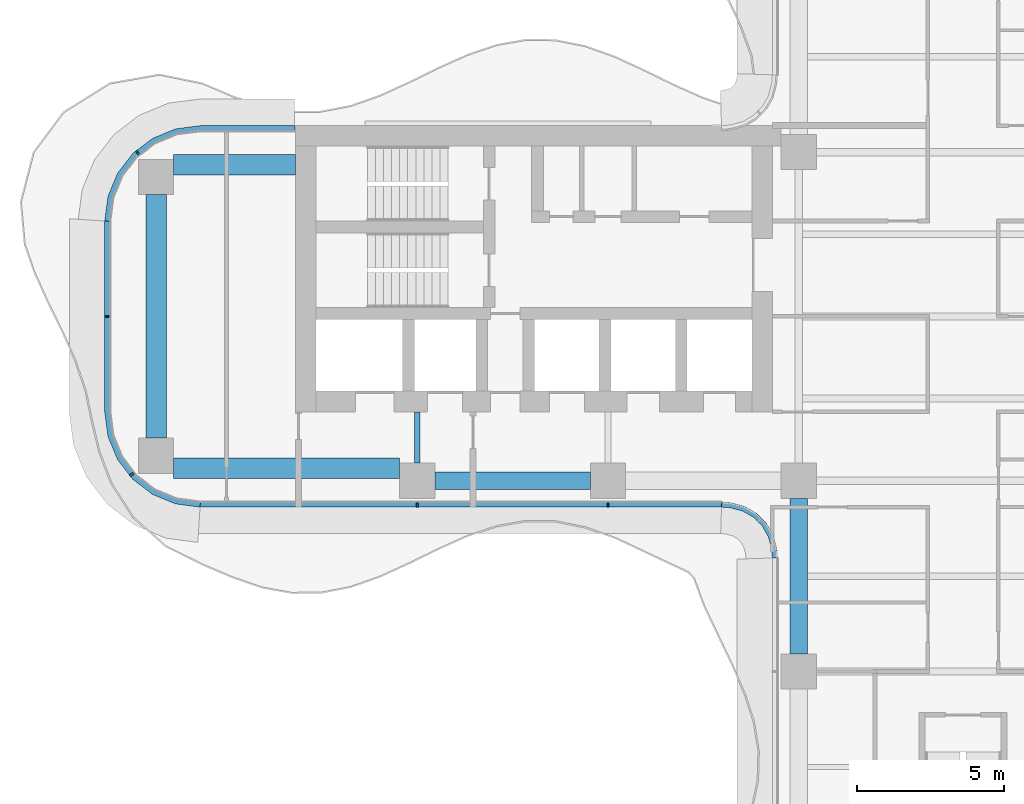
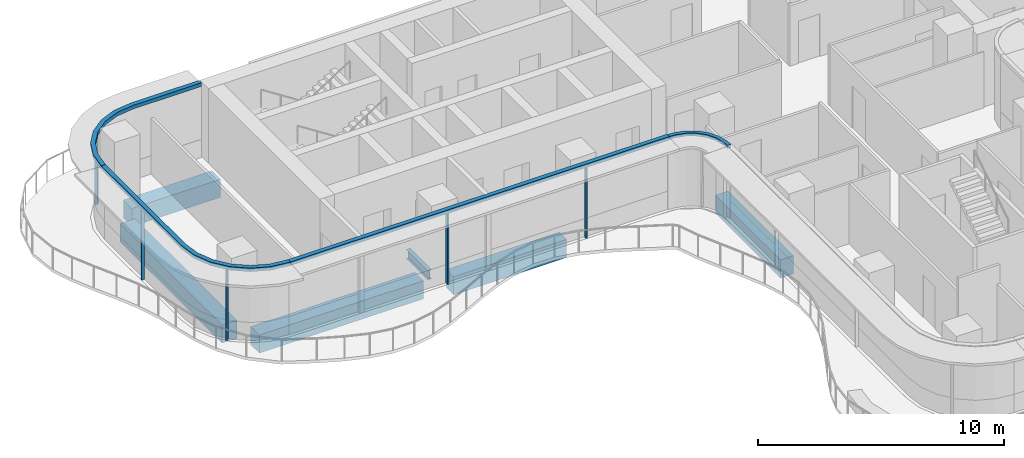
# One storey, part 3 of 18: 9 members, 6 beams, 4 elements without a shape of their own.
"""IFC4 building model written with IfcOpenShell, lengths in metres."""

from ifc_helpers import new_model, si_unit, direction, frame, origin, origin_2d, place, context, subcontext, project, spatial, polyline, rectangle, i_section, outline, extrude, source, transform, mapped, material, layer, layer_set, material_profile, profile_set, type_object, element, aggregate, save


model = new_model("IFC4")

# Units and contexts
model_context = context("Model", 3, precision=1e-05, world=origin(), true_north=direction((0.0, 1.0)))
body_context = subcontext(model_context, "Body", "Model", "MODEL_VIEW")
ifc_project = project(units=[si_unit("LENGTHUNIT", "METRE"), si_unit("AREAUNIT", "SQUARE_METRE"), si_unit("VOLUMEUNIT", "CUBIC_METRE"), si_unit("PLANEANGLEUNIT", "RADIAN"), si_unit("MASSUNIT", "GRAM", prefix="KILO")], contexts=[model_context])

# Site, building, storey
site_placement = place(None, origin())
site = spatial("IfcSite", under=ifc_project, at=site_placement, CompositionType="ELEMENT")
building_placement = place(site_placement, origin())
building = spatial("IfcBuilding", under=site, at=building_placement, Name="Trellis Farm Tower", CompositionType="ELEMENT")
storey_placement = place(building_placement, frame((0.0, 0.0, 177.60009765625)))
storey = spatial("IfcBuildingStorey", under=building, at=storey_placement, Name="L38", CompositionType="ELEMENT", Elevation=177.60009765625)

# Beams
ifc_material_1 = material(Name="Concrete C60/75", Category="concrete")
ifc_material_profile_1 = material_profile(ifc_material_1, rectangle(XDim=0.60009765625, YDim=0.89990234375, at=origin_2d()), Name="RC spandrel beam 600x900 C60/75")
ifc_profile_set_1 = profile_set([ifc_material_profile_1], Name="Concrete C60/75")
beam_type_1 = type_object("IfcBeamType", Name="RC spandrel beam 600x900 C60/75", PredefinedType="SPANDREL", material=ifc_profile_set_1)
shared_shape_1 = source(origin(), body_context, "Body", "SweptSolid", [
    extrude(rectangle(XDim=0.60009765625, YDim=0.89990234375, at=origin_2d()), origin(), (0.0, 0.0, 1.0), 5.300048828125),
])
for number, where, z_axis, x_axis, name in (
    (1, (-18.0, -5.60009765625, -0.650146484375), (1.0, 0.0, 0.0), (0.0, 1.0, 0.0), "Girder"),
    (2, (-5.60009765625, -11.5, -0.650146484375), (0.0, 1.0, 0.0), (-1.0, 0.0, 0.0), "Girder"),
):
    element("IfcBeam", number, at=place(storey_placement, frame(where, z_axis=z_axis, x_axis=x_axis)), inside=storey, type_object=beam_type_1, Name=name, PredefinedType="SPANDREL", context=body_context, shape_type="MappedRepresentation", body=[
        mapped(shared_shape_1, transform((0.0, 0.0, 0.0))),
    ])
ifc_material_profile_2 = material_profile(ifc_material_1, rectangle(XDim=0.699951171875, YDim=0.89990234375, at=origin_2d()), Name="RC spandrel beam 700x900 C60/75")
ifc_profile_set_2 = profile_set([ifc_material_profile_2], Name="Concrete C60/75")
beam_type_2 = type_object("IfcBeamType", Name="RC spandrel beam 700x900 C60/75", PredefinedType="SPANDREL", material=ifc_profile_set_2)
shared_shape_2 = source(origin(), body_context, "Body", "SweptSolid", [
    extrude(rectangle(XDim=0.699951171875, YDim=0.89990234375, at=origin_2d()), origin(), (0.0, 0.0, 1.0), 8.2998046875),
])
beam_1_placement = place(storey_placement, frame((-27.5, -4.14990234375, -0.650146484375), z_axis=(0.0, 1.0, 0.0), x_axis=(-1.0, 0.0, 0.0)))
element("IfcBeam", 3, at=beam_1_placement, inside=storey, type_object=beam_type_2, Name="Girder", PredefinedType="SPANDREL", context=body_context, shape_type="MappedRepresentation", body=[
    mapped(shared_shape_2, transform((0.0, 0.0, 0.0))),
])
ifc_material_2 = material(Name="Steel S355", Category="steel")
ifc_material_profile_3 = material_profile(ifc_material_2, i_section(OverallWidth=0.1904296875, OverallDepth=0.45703125, WebThickness=0.009033203125, FlangeThickness=0.014404296875, FilletRadius=0.01025390625, at=origin_2d()), Name="UB 457x191x74")
ifc_profile_set_3 = profile_set([ifc_material_profile_3], Name="Steel S355")
beam_type_3 = type_object("IfcBeamType", Name="UB 457x191x74", PredefinedType="BEAM", material=ifc_profile_set_3)
shared_shape_3 = source(origin(), body_context, "Body", "SweptSolid", [
    extrude(i_section(OverallWidth=0.1904296875, OverallDepth=0.45703125, WebThickness=0.009033203125, FlangeThickness=0.014404296875, FilletRadius=0.01025390625, at=origin_2d()), origin(), (0.0, 0.0, 1.0), 1.75),
])
beam_2_placement = place(storey_placement, frame((-18.60009765625, -5.0, -0.4287109375), z_axis=(0.0, 1.0, 0.0), x_axis=(-1.0, 0.0, 0.0)))
element("IfcBeam", 4, at=beam_2_placement, inside=storey, type_object=beam_type_3, Name="Girder", PredefinedType="BEAM", context=body_context, shape_type="MappedRepresentation", body=[
    mapped(shared_shape_3, transform((0.0, 0.0, 0.0))),
])
shared_shape_4 = source(origin(), body_context, "Body", "SweptSolid", [
    extrude(rectangle(XDim=0.699951171875, YDim=0.89990234375, at=origin_2d()), origin(), (0.0, 0.0, 1.0), 7.699951171875),
])
beam_3_placement = place(storey_placement, frame((-26.89990234375, -5.175048828125, -0.650146484375), z_axis=(1.0, 0.0, 0.0), x_axis=(0.0, 1.0, 0.0)))
element("IfcBeam", 5, at=beam_3_placement, inside=storey, type_object=beam_type_2, Name="Girder", PredefinedType="SPANDREL", context=body_context, shape_type="MappedRepresentation", body=[
    mapped(shared_shape_4, transform((0.0, 0.0, 0.0))),
])
shared_shape_5 = source(origin(), body_context, "Body", "SweptSolid", [
    extrude(rectangle(XDim=0.699951171875, YDim=0.89990234375, at=origin_2d()), origin(), (0.0, 0.0, 1.0), 4.14990234375),
])
beam_4_placement = place(storey_placement, frame((-26.89990234375, 5.175048828125, -0.650146484375), z_axis=(1.0, 0.0, 0.0), x_axis=(0.0, 1.0, 0.0)))
element("IfcBeam", 6, at=beam_4_placement, inside=storey, type_object=beam_type_2, Name="Girder", PredefinedType="SPANDREL", context=body_context, shape_type="MappedRepresentation", body=[
    mapped(shared_shape_5, transform((0.0, 0.0, 0.0))),
])

# Curtain wall, members
ifc_material_3 = material(Name="Aluminium and glass curtain wall", Category="aluminium")
ifc_layer_1 = layer(ifc_material_3, 0.18994140625)
ifc_layer_set_1 = layer_set([ifc_layer_1], Name="RIBBON CURTAIN WALL CW1")
curtain_wall_type_1 = type_object("IfcCurtainWallType", Name="RIBBON CURTAIN WALL CW1", PredefinedType="NOTDEFINED", material=ifc_layer_set_1)
placement_1 = place(storey_placement, origin())
curtain_wall_1 = element("IfcCurtainWall", 7, at=placement_1, inside=storey, type_object=curtain_wall_type_1, Name="CW1 001", PredefinedType="NOTDEFINED")
ifc_material_4 = material(Name="Aluminium extrusion 6063-T6", Category="aluminium")
ifc_material_profile_4 = material_profile(ifc_material_4, rectangle(XDim=0.06005859375, YDim=0.14990234375, at=origin_2d()), Name="MULLION 60x150")
ifc_profile_set_4 = profile_set([ifc_material_profile_4], Name="Aluminium extrusion 6063-T6")
member_type_1 = type_object("IfcMemberType", Name="CW1 MULLION 60x150", PredefinedType="MULLION", material=ifc_profile_set_4)
shared_shape_6 = source(origin(), body_context, "Body", "SweptSolid", [
    extrude(rectangle(XDim=0.06005859375, YDim=0.14990234375, at=origin_2d()), origin(), (0.0, 0.0, 1.0), 3.52001953125),
])
member_1_placement = place(storey_placement, frame((-18.60009765625, -6.425048828125, 0.0), z_axis=(0.0, 0.0, 1.0), x_axis=(1.0, 0.0, 0.0)))
member_1 = element("IfcMember", 8, at=member_1_placement, type_object=member_type_1, Name="MU1 001-01", PredefinedType="MULLION", context=body_context, shape_type="MappedRepresentation", body=[
    mapped(shared_shape_6, transform((0.0, 0.0, 0.0))),
])
member_2_placement = place(storey_placement, frame((-12.10009765625, -6.425048828125, 0.0), z_axis=(0.0, 0.0, 1.0), x_axis=(1.0, 0.0, 0.0)))
member_2 = element("IfcMember", 9, at=member_2_placement, type_object=member_type_1, Name="MU1 001-02", PredefinedType="MULLION", context=body_context, shape_type="MappedRepresentation", body=[
    mapped(shared_shape_6, transform((0.0, 0.0, 0.0))),
])

# Curtain wall, member
curtain_wall_2 = element("IfcCurtainWall", 10, at=placement_1, inside=storey, type_object=curtain_wall_type_1, Name="CW1 012", PredefinedType="NOTDEFINED")
member_3_placement = place(storey_placement, frame((-28.135498046875, 5.578369140625, 0.0), z_axis=(0.0, 0.0, 1.0), x_axis=(-0.793353340291, -0.608761429009, 0.0)))
member_3 = element("IfcMember", 11, at=member_3_placement, type_object=member_type_1, Name="MU1 012-01", PredefinedType="MULLION", context=body_context, shape_type="MappedRepresentation", body=[
    mapped(shared_shape_6, transform((0.0, 0.0, 0.0))),
])

# Curtain wall, members
curtain_wall_3 = element("IfcCurtainWall", 12, at=placement_1, inside=storey, type_object=curtain_wall_type_1, Name="CW1 013", PredefinedType="NOTDEFINED")
member_4_placement = place(storey_placement, frame((-29.175048828125, 0.0, 0.0), z_axis=(0.0, 0.0, 1.0), x_axis=(0.0, -1.0, 0.0)))
member_4 = element("IfcMember", 13, at=member_4_placement, type_object=member_type_1, Name="MU1 013-01", PredefinedType="MULLION", context=body_context, shape_type="MappedRepresentation", body=[
    mapped(shared_shape_6, transform((0.0, 0.0, 0.0))),
])
member_5_placement = place(storey_placement, frame((-28.328369140625, -5.385498046875, 0.0), z_axis=(0.0, 0.0, 1.0), x_axis=(0.608761429009, -0.793353340291, 0.0)))
member_5 = element("IfcMember", 14, at=member_5_placement, type_object=member_type_1, Name="MU1 013-02", PredefinedType="MULLION", context=body_context, shape_type="MappedRepresentation", body=[
    mapped(shared_shape_6, transform((0.0, 0.0, 0.0))),
])

# Member
ifc_layer_2 = layer(ifc_material_4, 0.199951171875)
ifc_layer_set_2 = layer_set([ifc_layer_2], Name="Aluminium extrusion 6063-T6")
member_type_2 = type_object("IfcMemberType", Name="CW1 TRANSOM 200x180", PredefinedType="USERDEFINED", material=ifc_layer_set_2)
shared_shape_7 = source(origin(), body_context, "Body", "SweptSolid", [
    extrude(outline(polyline([(-26.0, -6.5), (-8.2314453125, -6.5), (-8.224853515625, -6.300048828125), (-25.98681640625, -6.300048828125), (-26.0, -6.5)])), origin(), (0.0, 0.0, 1.0), 0.179931640625),
])
placement_2 = place(storey_placement, frame((0.0, 0.0, 3.52001953125)))
member_6 = element("IfcMember", 15, at=placement_2, type_object=member_type_2, Name="TR1 001", ObjectType="TRANSOM", PredefinedType="USERDEFINED", context=body_context, shape_type="MappedRepresentation", body=[
    mapped(shared_shape_7, transform((0.0, 0.0, 0.0))),
])

aggregate(curtain_wall_1, [member_1, member_2, member_6])

shared_shape_8 = source(origin(), body_context, "Body", "SweptSolid", [
    extrude(outline(polyline([(-22.780029296875, 6.5), (-26.0, 6.5), (-26.841064453125, 6.38916015625), (-27.625, 6.064697265625), (-28.298095703125, 5.548095703125), (-28.814697265625, 4.875), (-29.13916015625, 4.091064453125), (-29.25, 3.25), (-29.050048828125, 3.23681640625), (-28.9443359375, 4.0390625), (-28.639892578125, 4.774169921875), (-28.155517578125, 5.405517578125), (-27.524169921875, 5.889892578125), (-26.7890625, 6.1943359375), (-25.98681640625, 6.300048828125), (-22.780029296875, 6.300048828125), (-22.780029296875, 6.5)])), origin(), (0.0, 0.0, 1.0), 0.179931640625),
])
member_7 = element("IfcMember", 16, at=placement_2, type_object=member_type_2, Name="TR1 012", ObjectType="TRANSOM", PredefinedType="USERDEFINED", context=body_context, shape_type="MappedRepresentation", body=[
    mapped(shared_shape_8, transform((0.0, 0.0, 0.0))),
])

aggregate(curtain_wall_2, [member_3, member_7])

shared_shape_9 = source(origin(), body_context, "Body", "SweptSolid", [
    extrude(outline(polyline([(-29.25, 3.25), (-29.25, -3.25), (-29.13916015625, -4.091064453125), (-28.814697265625, -4.875), (-28.298095703125, -5.548095703125), (-27.625, -6.064697265625), (-26.841064453125, -6.38916015625), (-26.0, -6.5), (-25.98681640625, -6.300048828125), (-26.7890625, -6.1943359375), (-27.524169921875, -5.889892578125), (-28.155517578125, -5.405517578125), (-28.639892578125, -4.774169921875), (-28.9443359375, -4.0390625), (-29.050048828125, -3.23681640625), (-29.050048828125, 3.23681640625), (-29.25, 3.25)])), origin(), (0.0, 0.0, 1.0), 0.179931640625),
])
member_8 = element("IfcMember", 17, at=placement_2, type_object=member_type_2, Name="TR1 013", ObjectType="TRANSOM", PredefinedType="USERDEFINED", context=body_context, shape_type="MappedRepresentation", body=[
    mapped(shared_shape_9, transform((0.0, 0.0, 0.0))),
])

aggregate(curtain_wall_3, [member_4, member_5, member_8])

# Curtain wall, member
ifc_layer_3 = layer(ifc_material_3, 0.166015625)
ifc_layer_set_3 = layer_set([ifc_layer_3], Name="WINTER GARDEN CURTAIN WALL CW3")
curtain_wall_type_2 = type_object("IfcCurtainWallType", Name="WINTER GARDEN CURTAIN WALL CW3", PredefinedType="NOTDEFINED", material=ifc_layer_set_3)
curtain_wall_4 = element("IfcCurtainWall", 18, at=placement_1, inside=storey, type_object=curtain_wall_type_2, Name="CW3 001", PredefinedType="NOTDEFINED")
ifc_layer_4 = layer(ifc_material_4, 0.169921875)
ifc_layer_set_4 = layer_set([ifc_layer_4], Name="Aluminium extrusion 6063-T6")
member_type_3 = type_object("IfcMemberType", Name="CW3 TRANSOM 170x150", PredefinedType="USERDEFINED", material=ifc_layer_set_4)
shared_shape_10 = source(origin(), body_context, "Body", "SweptSolid", [
    extrude(outline(polyline([(-8.2314453125, -6.5), (-8.01953125, -6.513916015625), (-7.91552734375, -6.527587890625), (-7.508544921875, -6.63671875), (-7.144287109375, -6.846923828125), (-6.846923828125, -7.144287109375), (-6.63671875, -7.508544921875), (-6.527587890625, -7.91552734375), (-6.513916015625, -8.01953125), (-6.5, -8.2314453125), (-6.330078125, -8.225830078125), (-6.3447265625, -8.0029296875), (-6.360595703125, -7.88232421875), (-6.478271484375, -7.44287109375), (-6.7109375, -7.0400390625), (-7.0400390625, -6.7109375), (-7.44287109375, -6.478271484375), (-7.88232421875, -6.360595703125), (-8.0029296875, -6.3447265625), (-8.225830078125, -6.330078125), (-8.2314453125, -6.5)])), origin(), (0.0, 0.0, 1.0), 0.150146484375),
])
member_9_placement = place(storey_placement, frame((0.0, 0.0, 3.5498046875)))
member_9 = element("IfcMember", 19, at=member_9_placement, type_object=member_type_3, Name="TR3 001", ObjectType="TRANSOM", PredefinedType="USERDEFINED", context=body_context, shape_type="MappedRepresentation", body=[
    mapped(shared_shape_10, transform((0.0, 0.0, 0.0))),
])
aggregate(curtain_wall_4, [member_9])

save(model, "model.ifc")
